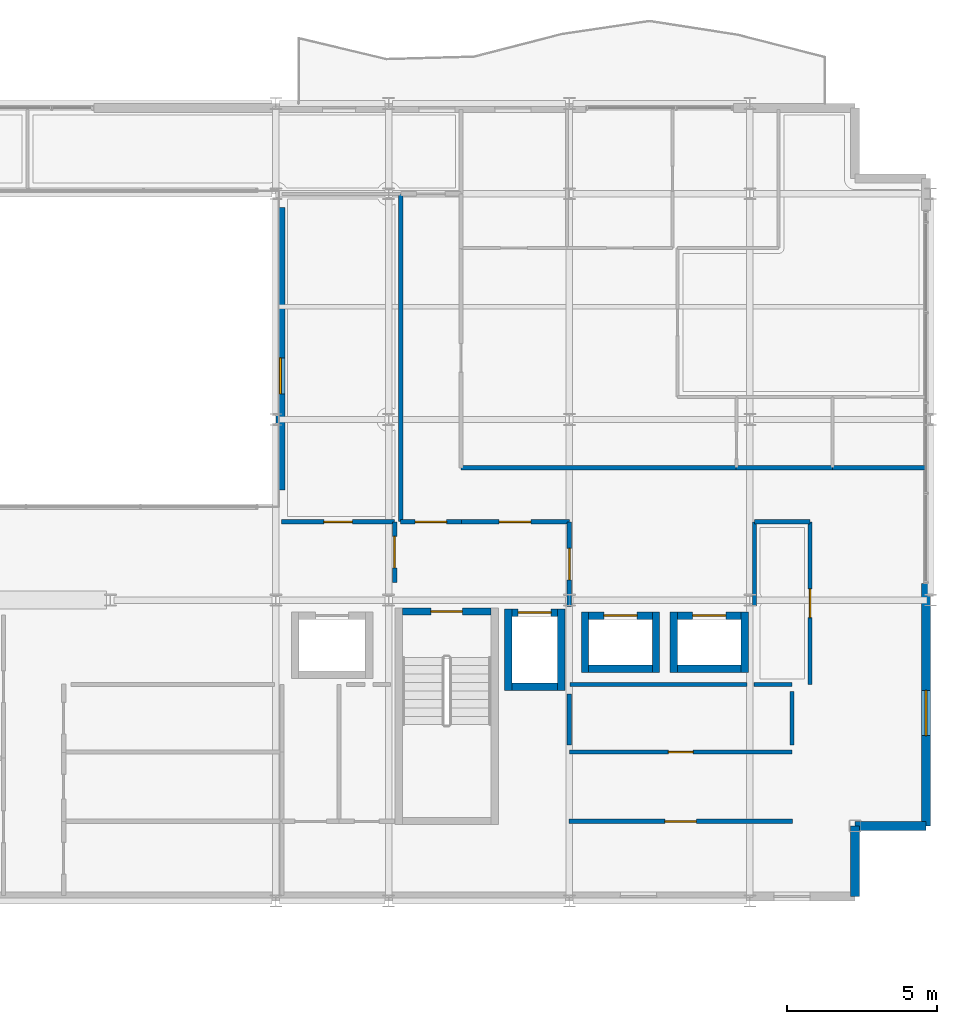
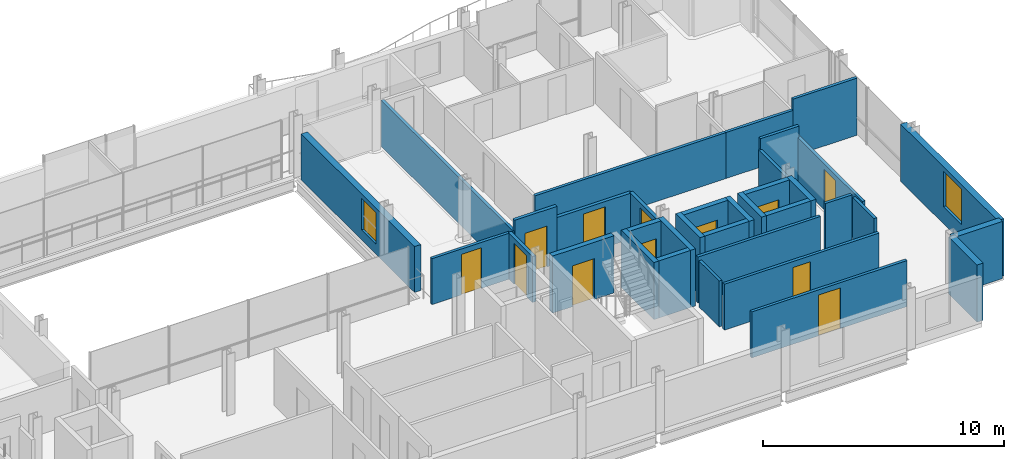
# One storey, part 31 of 35: 35 walls, 12 doors, 2 windows, 14 openings.
"""IFC4 building model written with IfcOpenShell, lengths in metres."""

from ifc_helpers import new_model, si_unit, direction, frame, frame_2d, origin, place, context, subcontext, project, spatial, rectangle, extrude, material, layer, layer_set, type_object, element, fill, save


model = new_model("IFC4")

# Units and contexts
model_context = context("Model", 3, precision=1e-05, world=origin(), true_north=direction((0.0, 1.0)))
body_context = subcontext(model_context, "Body", "Model", "MODEL_VIEW")
ifc_project = project(units=[si_unit("LENGTHUNIT", "METRE"), si_unit("AREAUNIT", "SQUARE_METRE"), si_unit("VOLUMEUNIT", "CUBIC_METRE"), si_unit("PLANEANGLEUNIT", "RADIAN"), si_unit("MASSUNIT", "GRAM", prefix="KILO")], contexts=[model_context])

# Site, building, storey
site_placement = place(None, origin())
site = spatial("IfcSite", under=ifc_project, at=site_placement, CompositionType="ELEMENT")
building_placement = place(site_placement, origin())
building = spatial("IfcBuilding", under=site, at=building_placement, Name="Brevholm Reach", CompositionType="ELEMENT")
storey_placement = place(building_placement, frame((0.0, 0.0, 183.199951171875)))
storey = spatial("IfcBuildingStorey", under=building, at=storey_placement, Name="L55", CompositionType="ELEMENT", Elevation=183.199951171875)

# Wall, opening, door
ifc_material_1 = material(Name="Concrete C45/55", Category="concrete")
ifc_layer_1 = layer(ifc_material_1, 0.239990234375)
ifc_layer_set_1 = layer_set([ifc_layer_1], Name="Concrete C45/55")
wall_type_1 = type_object("IfcWallType", Name="WAL-COR-240", PredefinedType="SHEAR", material=ifc_layer_set_1)
wall_1_placement = place(storey_placement, frame((45.39990234375, 9.6201171875, 0.0), z_axis=(0.0, 0.0, 1.0), x_axis=(-1.0, 0.0, 0.0)))
wall_1 = element("IfcWall", 1, at=wall_1_placement, inside=storey, type_object=wall_type_1, Name="L55 Escape Stair ST-2 Core Wall N", PredefinedType="SHEAR", context=body_context, shape_type="SweptSolid", body=[
    extrude(rectangle(XDim=2.949951171875, YDim=0.239990234375, at=frame_2d((1.47509765625, 0.0))), origin(), (0.0, 0.0, 1.0), 2.89013671875),
])
opening_1_placement = place(wall_1_placement, frame((0.949951171875, 0.0, 0.0)))
opening_1 = element("IfcOpeningElement", 2, at=opening_1_placement, cuts=wall_1, Name="Opening SD-ST-2", PredefinedType="OPENING", context=body_context, shape_type="SweptSolid", body=[
    extrude(rectangle(XDim=1.050048828125, YDim=2.06005859375, at=frame_2d((0.52490234375, 1.030029296875))), frame((0.0, 0.1298828125, 0.0), z_axis=(0.0, -1.0, 0.0), x_axis=(1.0, 0.0, 0.0)), (0.0, 0.0, 1.0), 0.260009765625),
])
ifc_material_2 = material(Name="Hardwood-Lipped Steel-Core Fire and Smoke Door", Category="steel")
door_type_1 = type_object("IfcDoorType", Name="DOR-INT-FD60S", OperationType="NOTDEFINED", PredefinedType="DOOR", material=ifc_material_2)
door_1_placement = place(opening_1_placement, origin())
door_1 = element("IfcDoor", 3, at=door_1_placement, inside=storey, type_object=door_type_1, Name="L55 Protected Stair ST-2 Lobby Door", OperationType="SINGLE_SWING_RIGHT", OverallHeight=2.06005859375, OverallWidth=1.050048828125, PredefinedType="DOOR", context=body_context, shape_type="SweptSolid", body=[
    extrude(rectangle(XDim=1.050048828125, YDim=2.06005859375, at=frame_2d((0.52490234375, 1.030029296875))), frame((0.0, 0.02490234375, 0.0), z_axis=(0.0, -1.0, 0.0), x_axis=(1.0, 0.0, 0.0)), (0.0, 0.0, 1.0), 0.050048828125),
])
fill(opening_1, door_1)

# Walls
for number, where, z_axis, x_axis, name in (
    (4, (45.969970703125, 7.0, 0.0), (0.0, 0.0, 1.0), (0.0, 1.0, 0.0), "L55 Lift FFL-2 Shaft Wall W"),
    (5, (47.72998046875, 7.0, 0.0), (0.0, 0.0, 1.0), (0.0, 1.0, 0.0), "L55 Lift FFL-2 Shaft Wall E"),
):
    element("IfcWall", number, at=place(storey_placement, frame(where, z_axis=z_axis, x_axis=x_axis)), inside=storey, type_object=wall_type_1, Name=name, PredefinedType="SHEAR", context=body_context, shape_type="SweptSolid", body=[
        extrude(rectangle(XDim=2.699951171875, YDim=0.239990234375, at=frame_2d((1.35009765625, 0.0))), origin(), (0.0, 0.0, 1.0), 2.89013671875),
    ])
wall_2_placement = place(storey_placement, frame((46.090087890625, 7.1201171875, 0.0), z_axis=(0.0, 0.0, 1.0), x_axis=(1.0, 0.0, 0.0)))
element("IfcWall", 6, at=wall_2_placement, inside=storey, type_object=wall_type_1, Name="L55 Lift FFL-2 Shaft Wall S", PredefinedType="SHEAR", context=body_context, shape_type="SweptSolid", body=[
    extrude(rectangle(XDim=1.52001953125, YDim=0.239990234375, at=frame_2d((0.760009765625, 0.0))), origin(), (0.0, 0.0, 1.0), 2.89013671875),
])

# Wall, opening, door
wall_3_placement = place(storey_placement, frame((46.090087890625, 9.580078125, 0.0), z_axis=(0.0, 0.0, 1.0), x_axis=(1.0, 0.0, 0.0)))
wall_3 = element("IfcWall", 7, at=wall_3_placement, inside=storey, type_object=wall_type_1, Name="L55 Lift FFL-2 Shaft Wall N", PredefinedType="SHEAR", context=body_context, shape_type="SweptSolid", body=[
    extrude(rectangle(XDim=1.52001953125, YDim=0.239990234375, at=frame_2d((0.760009765625, 0.0))), origin(), (0.0, 0.0, 1.0), 2.89013671875),
])
opening_2_placement = place(wall_3_placement, frame((0.2099609375, 0.0, 0.0)))
opening_2 = element("IfcOpeningElement", 8, at=opening_2_placement, cuts=wall_3, Name="Opening LD-FFL-2", PredefinedType="OPENING", context=body_context, shape_type="SweptSolid", body=[
    extrude(rectangle(XDim=1.10009765625, YDim=2.06005859375, at=frame_2d((0.550048828125, 1.030029296875))), frame((0.0, 0.1298828125, 0.0), z_axis=(0.0, -1.0, 0.0), x_axis=(1.0, 0.0, 0.0)), (0.0, 0.0, 1.0), 0.260009765625),
])
ifc_material_3 = material(Name="Brushed Stainless Steel Fire-Rated Sliding Lift Door", Category="steel")
door_type_2 = type_object("IfcDoorType", Name="DOR-LFT-1100", OperationType="NOTDEFINED", PredefinedType="DOOR", material=ifc_material_3)
door_2_placement = place(opening_2_placement, origin())
door_2 = element("IfcDoor", 9, at=door_2_placement, inside=storey, type_object=door_type_2, Name="L55 Lift FFL-2 Sliding Landing Door", OperationType="SLIDING_TO_RIGHT", OverallHeight=2.06005859375, OverallWidth=1.10009765625, PredefinedType="DOOR", context=body_context, shape_type="SweptSolid", body=[
    extrude(rectangle(XDim=1.10009765625, YDim=2.06005859375, at=frame_2d((0.550048828125, 1.030029296875))), frame((0.0, 0.02490234375, 0.0), z_axis=(0.0, -1.0, 0.0), x_axis=(1.0, 0.0, 0.0)), (0.0, 0.0, 1.0), 0.050048828125),
])
fill(opening_2, door_2)

# Walls
for number, where, z_axis, x_axis, name in (
    (10, (48.52001953125, 7.60009765625, 0.0), (0.0, 0.0, 1.0), (0.0, 1.0, 0.0), "L55 Lift PL-H1 Shaft Wall W"),
    (11, (50.8798828125, 7.60009765625, 0.0), (0.0, 0.0, 1.0), (0.0, 1.0, 0.0), "L55 Lift PL-H1 Shaft Wall E"),
):
    element("IfcWall", number, at=place(storey_placement, frame(where, z_axis=z_axis, x_axis=x_axis)), inside=storey, type_object=wall_type_1, Name=name, PredefinedType="SHEAR", context=body_context, shape_type="SweptSolid", body=[
        extrude(rectangle(XDim=2.0, YDim=0.239990234375, at=frame_2d((1.0, 0.0))), origin(), (0.0, 0.0, 1.0), 2.89013671875),
    ])
wall_4_placement = place(storey_placement, frame((48.639892578125, 7.719970703125, 0.0), z_axis=(0.0, 0.0, 1.0), x_axis=(1.0, 0.0, 0.0)))
element("IfcWall", 12, at=wall_4_placement, inside=storey, type_object=wall_type_1, Name="L55 Lift PL-H1 Shaft Wall S", PredefinedType="SHEAR", context=body_context, shape_type="SweptSolid", body=[
    extrude(rectangle(XDim=2.1201171875, YDim=0.239990234375, at=frame_2d((1.06005859375, 0.0))), origin(), (0.0, 0.0, 1.0), 2.89013671875),
])

# Wall, opening, door
wall_5_placement = place(storey_placement, frame((48.639892578125, 9.47998046875, 0.0), z_axis=(0.0, 0.0, 1.0), x_axis=(1.0, 0.0, 0.0)))
wall_5 = element("IfcWall", 13, at=wall_5_placement, inside=storey, type_object=wall_type_1, Name="L55 Lift PL-H1 Shaft Wall N", PredefinedType="SHEAR", context=body_context, shape_type="SweptSolid", body=[
    extrude(rectangle(XDim=2.1201171875, YDim=0.239990234375, at=frame_2d((1.06005859375, 0.0))), origin(), (0.0, 0.0, 1.0), 2.89013671875),
])
opening_3_placement = place(wall_5_placement, frame((0.510009765625, 0.0, 0.0)))
opening_3 = element("IfcOpeningElement", 14, at=opening_3_placement, cuts=wall_5, Name="Opening LD-PL-H1", PredefinedType="OPENING", context=body_context, shape_type="SweptSolid", body=[
    extrude(rectangle(XDim=1.10009765625, YDim=2.06005859375, at=frame_2d((0.550048828125, 1.030029296875))), frame((0.0, 0.1298828125, 0.0), z_axis=(0.0, -1.0, 0.0), x_axis=(1.0, 0.0, 0.0)), (0.0, 0.0, 1.0), 0.260009765625),
])
door_3_placement = place(opening_3_placement, origin())
door_3 = element("IfcDoor", 15, at=door_3_placement, inside=storey, type_object=door_type_2, Name="L55 Lift PL-H1 Sliding Landing Door", OperationType="SLIDING_TO_RIGHT", OverallHeight=2.06005859375, OverallWidth=1.10009765625, PredefinedType="DOOR", context=body_context, shape_type="SweptSolid", body=[
    extrude(rectangle(XDim=1.10009765625, YDim=2.06005859375, at=frame_2d((0.550048828125, 1.030029296875))), frame((0.0, 0.02490234375, 0.0), z_axis=(0.0, -1.0, 0.0), x_axis=(1.0, 0.0, 0.0)), (0.0, 0.0, 1.0), 0.050048828125),
])
fill(opening_3, door_3)

# Walls
for number, where, z_axis, x_axis, name in (
    (16, (51.469970703125, 7.60009765625, 0.0), (0.0, 0.0, 1.0), (0.0, 1.0, 0.0), "L55 Lift PL-H2 Shaft Wall W"),
    (17, (53.830078125, 7.60009765625, 0.0), (0.0, 0.0, 1.0), (0.0, 1.0, 0.0), "L55 Lift PL-H2 Shaft Wall E"),
):
    element("IfcWall", number, at=place(storey_placement, frame(where, z_axis=z_axis, x_axis=x_axis)), inside=storey, type_object=wall_type_1, Name=name, PredefinedType="SHEAR", context=body_context, shape_type="SweptSolid", body=[
        extrude(rectangle(XDim=2.0, YDim=0.239990234375, at=frame_2d((1.0, 0.0))), origin(), (0.0, 0.0, 1.0), 2.89013671875),
    ])
wall_6_placement = place(storey_placement, frame((51.590087890625, 7.719970703125, 0.0), z_axis=(0.0, 0.0, 1.0), x_axis=(1.0, 0.0, 0.0)))
element("IfcWall", 18, at=wall_6_placement, inside=storey, type_object=wall_type_1, Name="L55 Lift PL-H2 Shaft Wall S", PredefinedType="SHEAR", context=body_context, shape_type="SweptSolid", body=[
    extrude(rectangle(XDim=2.119873046875, YDim=0.239990234375, at=frame_2d((1.06005859375, 0.0))), origin(), (0.0, 0.0, 1.0), 2.89013671875),
])

# Wall, opening, door
wall_7_placement = place(storey_placement, frame((51.590087890625, 9.47998046875, 0.0), z_axis=(0.0, 0.0, 1.0), x_axis=(1.0, 0.0, 0.0)))
wall_7 = element("IfcWall", 19, at=wall_7_placement, inside=storey, type_object=wall_type_1, Name="L55 Lift PL-H2 Shaft Wall N", PredefinedType="SHEAR", context=body_context, shape_type="SweptSolid", body=[
    extrude(rectangle(XDim=2.119873046875, YDim=0.239990234375, at=frame_2d((1.06005859375, 0.0))), origin(), (0.0, 0.0, 1.0), 2.89013671875),
])
opening_4_placement = place(wall_7_placement, frame((0.510009765625, 0.0, 0.0)))
opening_4 = element("IfcOpeningElement", 20, at=opening_4_placement, cuts=wall_7, Name="Opening LD-PL-H2", PredefinedType="OPENING", context=body_context, shape_type="SweptSolid", body=[
    extrude(rectangle(XDim=1.10009765625, YDim=2.06005859375, at=frame_2d((0.550048828125, 1.030029296875))), frame((0.0, 0.1298828125, 0.0), z_axis=(0.0, -1.0, 0.0), x_axis=(1.0, 0.0, 0.0)), (0.0, 0.0, 1.0), 0.260009765625),
])
door_4_placement = place(opening_4_placement, origin())
door_4 = element("IfcDoor", 21, at=door_4_placement, inside=storey, type_object=door_type_2, Name="L55 Lift PL-H2 Sliding Landing Door", OperationType="SLIDING_TO_LEFT", OverallHeight=2.06005859375, OverallWidth=1.10009765625, PredefinedType="DOOR", context=body_context, shape_type="SweptSolid", body=[
    extrude(rectangle(XDim=1.10009765625, YDim=2.06005859375, at=frame_2d((0.550048828125, 1.030029296875))), frame((0.0, 0.02490234375, 0.0), z_axis=(0.0, -1.0, 0.0), x_axis=(1.0, 0.0, 0.0)), (0.0, 0.0, 1.0), 0.050048828125),
])
fill(opening_4, door_4)

# Walls
ifc_material_4 = material(Name="Concrete C40/50", Category="concrete")
ifc_layer_2 = layer(ifc_material_4, 0.300048828125)
ifc_layer_set_2 = layer_set([ifc_layer_2], Name="Concrete C40/50")
wall_type_2 = type_object("IfcWallType", Name="WAL-EXT-300", PredefinedType="STANDARD", material=ifc_layer_set_2)
for number, where, z_axis, x_axis, name in (
    (22, (57.5, 0.14990234375, 0.0), (0.0, 0.0, 1.0), (0.0, 1.0, 0.0), "L55 Facade Wall WAL-L55-CSE1"),
    (23, (57.5, 2.5, 0.0), (0.0, 0.0, 1.0), (1.0, 0.0, 0.0), "L55 Facade Wall WAL-L55-CSE2"),
):
    element("IfcWall", number, at=place(storey_placement, frame(where, z_axis=z_axis, x_axis=x_axis)), inside=storey, type_object=wall_type_2, Name=name, PredefinedType="STANDARD", context=body_context, shape_type="SweptSolid", body=[
        extrude(rectangle(XDim=2.35009765625, YDim=0.300048828125, at=frame_2d((1.175048828125, 0.0))), origin(), (0.0, 0.0, 1.0), 2.89013671875),
    ])

# Wall, opening, window
wall_8_placement = place(storey_placement, frame((59.85009765625, 2.5, 0.0), z_axis=(0.0, 0.0, 1.0), x_axis=(0.0, 1.0, 0.0)))
wall_8 = element("IfcWall", 24, at=wall_8_placement, inside=storey, type_object=wall_type_2, Name="L55 Facade Wall WAL-L55-E-S", PredefinedType="STANDARD", context=body_context, shape_type="SweptSolid", body=[
    extrude(rectangle(XDim=8.050048828125, YDim=0.300048828125, at=frame_2d((4.02490234375, 0.0))), origin(), (0.0, 0.0, 1.0), 2.89013671875),
])
opening_5_placement = place(wall_8_placement, frame((3.0, 0.0, 0.8701171875)))
opening_5 = element("IfcOpeningElement", 25, at=opening_5_placement, cuts=wall_8, Name="Opening WN-05", PredefinedType="OPENING", context=body_context, shape_type="SweptSolid", body=[
    extrude(rectangle(XDim=1.5, YDim=1.800048828125, at=frame_2d((0.75, 0.89990234375))), frame((0.0, 0.159912109375, 0.0), z_axis=(0.0, -1.0, 0.0), x_axis=(1.0, 0.0, 0.0)), (0.0, 0.0, 1.0), 0.320068359375),
])
ifc_material_5 = material(Name="Dark Anodised Aluminium and Solar-Control IGU Glass", Category="aluminium")
window_type_1 = type_object("IfcWindowType", Name="WIN-RES-1500", PartitioningType="SINGLE_PANEL", PredefinedType="WINDOW", material=ifc_material_5)
window_1_placement = place(opening_5_placement, origin())
window_1 = element("IfcWindow", 26, at=window_1_placement, inside=storey, type_object=window_type_1, Name="L55 Window WIN-L55-ES-1", OverallHeight=1.800048828125, OverallWidth=1.5, PartitioningType="SINGLE_PANEL", PredefinedType="WINDOW", context=body_context, shape_type="SweptSolid", body=[
    extrude(rectangle(XDim=1.5, YDim=1.800048828125, at=frame_2d((0.75, 0.89990234375))), frame((0.0, 0.030029296875, 0.0), z_axis=(0.0, -1.0, 0.0), x_axis=(1.0, 0.0, 0.0)), (0.0, 0.0, 1.0), 0.06005859375),
])
fill(opening_5, window_1)

wall_9_placement = place(storey_placement, frame((38.39990234375, 13.64990234375, 0.0), z_axis=(0.0, 0.0, 1.0), x_axis=(0.0, 1.0, 0.0)))
wall_9 = element("IfcWall", 27, at=wall_9_placement, inside=storey, type_object=wall_type_2, Name="L55 Facade Wall WAL-L55-AT-E", PredefinedType="STANDARD", context=body_context, shape_type="SweptSolid", body=[
    extrude(rectangle(XDim=9.400146484375, YDim=0.300048828125, at=frame_2d((4.7001953125, 0.0))), origin(), (0.0, 0.0, 1.0), 2.325439453125),
])
opening_6_placement = place(wall_9_placement, frame((3.199951171875, 0.0, 0.5)))
opening_6 = element("IfcOpeningElement", 28, at=opening_6_placement, cuts=wall_9, Name="Opening WN-08", PredefinedType="OPENING", context=body_context, shape_type="SweptSolid", body=[
    extrude(rectangle(XDim=1.199951171875, YDim=1.60009765625, at=frame_2d((0.60009765625, 0.800048828125))), frame((0.0, 0.159912109375, 0.0), z_axis=(0.0, -1.0, 0.0), x_axis=(1.0, 0.0, 0.0)), (0.0, 0.0, 1.0), 0.320068359375),
])
ifc_material_6 = material(Name="Dark Anodised Aluminium and Solar-Control IGU Glass", Category="aluminium")
window_type_2 = type_object("IfcWindowType", Name="WIN-RES-1200", PartitioningType="SINGLE_PANEL", PredefinedType="WINDOW", material=ifc_material_6)
window_2_placement = place(opening_6_placement, origin())
window_2 = element("IfcWindow", 29, at=window_2_placement, inside=storey, type_object=window_type_2, Name="L55 Window WIN-L55-AT-E1", OverallHeight=1.60009765625, OverallWidth=1.199951171875, PartitioningType="SINGLE_PANEL", PredefinedType="WINDOW", context=body_context, shape_type="SweptSolid", body=[
    extrude(rectangle(XDim=1.199951171875, YDim=1.60009765625, at=frame_2d((0.60009765625, 0.800048828125))), frame((0.0, 0.030029296875, 0.0), z_axis=(0.0, -1.0, 0.0), x_axis=(1.0, 0.0, 0.0)), (0.0, 0.0, 1.0), 0.06005859375),
])
fill(opening_6, window_2)

# Wall, opening, door
ifc_material_7 = material(Name="Twin-Stud Acoustic Fire-Rated Gypsum Partition 140 mm", Category="gypsum")
ifc_layer_3 = layer(ifc_material_7, 0.139892578125)
ifc_layer_set_3 = layer_set([ifc_layer_3], Name="Twin-Stud Acoustic Fire-Rated Gypsum Partition 140 mm")
wall_type_3 = type_object("IfcWallType", Name="WAL-PRT-140", PredefinedType="PARTITIONING", material=ifc_layer_set_3)
wall_10_placement = place(storey_placement, frame((56.0, 7.188720703125, 0.0), z_axis=(0.0, 0.0, 1.0), x_axis=(0.0, 1.0, 0.0)))
wall_10 = element("IfcWall", 30, at=wall_10_placement, inside=storey, type_object=wall_type_3, Name="L55 Internal Partition 014", PredefinedType="PARTITIONING", context=body_context, shape_type="SweptSolid", body=[
    extrude(rectangle(XDim=5.411376953125, YDim=0.139892578125, at=frame_2d((2.70556640625, 0.0))), origin(), (0.0, 0.0, 1.0), 2.325439453125),
])
opening_7_placement = place(wall_10_placement, frame((2.230712890625, 0.0, 0.0)))
opening_7 = element("IfcOpeningElement", 31, at=opening_7_placement, cuts=wall_10, Name="Opening ID-30", PredefinedType="OPENING", context=body_context, shape_type="SweptSolid", body=[
    extrude(rectangle(XDim=0.949951171875, YDim=2.050048828125, at=frame_2d((0.47509765625, 1.02490234375))), frame((0.0, 0.079833984375, 0.0), z_axis=(0.0, -1.0, 0.0), x_axis=(1.0, 0.0, 0.0)), (0.0, 0.0, 1.0), 0.159912109375),
])
ifc_material_8 = material(Name="European Oak Veneered Solid-Core Fire Entrance Door", Category="timber")
door_type_3 = type_object("IfcDoorType", Name="DOR-FLT-FD30S", OperationType="NOTDEFINED", PredefinedType="DOOR", material=ifc_material_8)
door_5_placement = place(opening_7_placement, origin())
door_5 = element("IfcDoor", 32, at=door_5_placement, inside=storey, type_object=door_type_3, Name="L55 Internal Door 007", OperationType="SINGLE_SWING_RIGHT", OverallHeight=2.050048828125, OverallWidth=0.949951171875, PredefinedType="DOOR", context=body_context, shape_type="SweptSolid", body=[
    extrude(rectangle(XDim=0.949951171875, YDim=2.050048828125, at=frame_2d((0.47509765625, 1.02490234375))), frame((0.0, 0.02490234375, 0.0), z_axis=(0.0, -1.0, 0.0), x_axis=(1.0, 0.0, 0.0)), (0.0, 0.0, 1.0), 0.050048828125),
])
fill(opening_7, door_5)

wall_11_placement = place(storey_placement, frame((47.98876953125, 2.64990234375, 0.0), z_axis=(0.0, 0.0, 1.0), x_axis=(1.0, 0.0, 0.0)))
wall_11 = element("IfcWall", 33, at=wall_11_placement, inside=storey, type_object=wall_type_3, Name="L55 Internal Partition 017", PredefinedType="PARTITIONING", context=body_context, shape_type="SweptSolid", body=[
    extrude(rectangle(XDim=7.422607421875, YDim=0.139892578125, at=frame_2d((3.71142578125, 0.0))), origin(), (0.0, 0.0, 1.0), 2.325439453125),
])
opening_8_placement = place(wall_11_placement, frame((3.186279296875, 0.0, 0.0)))
opening_8 = element("IfcOpeningElement", 34, at=opening_8_placement, cuts=wall_11, Name="Opening FD-01", PredefinedType="OPENING", context=body_context, shape_type="SweptSolid", body=[
    extrude(rectangle(XDim=1.050048828125, YDim=2.06005859375, at=frame_2d((0.52490234375, 1.030029296875))), frame((0.0, 0.079833984375, 0.0), z_axis=(0.0, -1.0, 0.0), x_axis=(1.0, 0.0, 0.0)), (0.0, 0.0, 1.0), 0.159912109375),
])
door_6_placement = place(opening_8_placement, origin())
door_6 = element("IfcDoor", 35, at=door_6_placement, inside=storey, type_object=door_type_1, Name="L55 Internal Door 010", OperationType="SINGLE_SWING_LEFT", OverallHeight=2.06005859375, OverallWidth=1.050048828125, PredefinedType="DOOR", context=body_context, shape_type="SweptSolid", body=[
    extrude(rectangle(XDim=1.050048828125, YDim=2.06005859375, at=frame_2d((0.52490234375, 1.030029296875))), frame((0.0, 0.02490234375, 0.0), z_axis=(0.0, -1.0, 0.0), x_axis=(1.0, 0.0, 0.0)), (0.0, 0.0, 1.0), 0.050048828125),
])
fill(opening_8, door_6)

wall_12_placement = place(storey_placement, frame((48.0, 4.949951171875, 0.0), z_axis=(0.0, 0.0, 1.0), x_axis=(1.0, 0.0, 0.0)))
wall_12 = element("IfcWall", 36, at=wall_12_placement, inside=storey, type_object=wall_type_3, Name="L55 Internal Partition 023", PredefinedType="PARTITIONING", context=body_context, shape_type="SweptSolid", body=[
    extrude(rectangle(XDim=7.39990234375, YDim=0.139892578125, at=frame_2d((3.699951171875, 0.0))), origin(), (0.0, 0.0, 1.0), 2.325439453125),
])
opening_9_placement = place(wall_12_placement, frame((3.2900390625, 0.0, 0.0)))
opening_9 = element("IfcOpeningElement", 37, at=opening_9_placement, cuts=wall_12, Name="Opening ID-02", PredefinedType="OPENING", context=body_context, shape_type="SweptSolid", body=[
    extrude(rectangle(XDim=0.820068359375, YDim=2.02001953125, at=frame_2d((0.41015625, 1.010009765625))), frame((0.0, 0.079833984375, 0.0), z_axis=(0.0, -1.0, 0.0), x_axis=(1.0, 0.0, 0.0)), (0.0, 0.0, 1.0), 0.159912109375),
])
ifc_material_9 = material(Name="Moisture-Resistant Painted Timber Fire-Rated Riser and Service Door", Category="wood")
door_type_4 = type_object("IfcDoorType", Name="DOR-SRV-820", OperationType="NOTDEFINED", PredefinedType="DOOR", material=ifc_material_9)
door_7_placement = place(opening_9_placement, origin())
door_7 = element("IfcDoor", 38, at=door_7_placement, inside=storey, type_object=door_type_4, Name="L55 Access Door 043", OperationType="SINGLE_SWING_RIGHT", OverallHeight=2.02001953125, OverallWidth=0.820068359375, PredefinedType="DOOR", context=body_context, shape_type="SweptSolid", body=[
    extrude(rectangle(XDim=0.820068359375, YDim=2.02001953125, at=frame_2d((0.41015625, 1.010009765625))), frame((0.0, 0.02490234375, 0.0), z_axis=(0.0, -1.0, 0.0), x_axis=(1.0, 0.0, 0.0)), (0.0, 0.0, 1.0), 0.050048828125),
])
fill(opening_9, door_7)

# Walls
wall_13_placement = place(storey_placement, frame((54.138671875, 7.199951171875, 0.0), z_axis=(0.0, 0.0, 1.0), x_axis=(1.0, 0.0, 0.0)))
element("IfcWall", 39, at=wall_13_placement, inside=storey, type_object=wall_type_3, Name="L55 Internal Partition 024", PredefinedType="PARTITIONING", context=body_context, shape_type="SweptSolid", body=[
    extrude(rectangle(XDim=1.26123046875, YDim=0.139892578125, at=frame_2d((0.630615234375, 0.0))), origin(), (0.0, 0.0, 1.0), 2.89013671875),
])
wall_14_placement = place(storey_placement, frame((54.14990234375, 9.800048828125, 0.0), z_axis=(0.0, 0.0, 1.0), x_axis=(0.0, 1.0, 0.0)))
element("IfcWall", 40, at=wall_14_placement, inside=storey, type_object=wall_type_3, Name="L55 Internal Partition 036", PredefinedType="PARTITIONING", context=body_context, shape_type="SweptSolid", body=[
    extrude(rectangle(XDim=2.800048828125, YDim=0.139892578125, at=frame_2d((1.39990234375, 0.0))), origin(), (0.0, 0.0, 1.0), 2.325439453125),
])
wall_15_placement = place(storey_placement, frame((54.154052734375, 12.60009765625, 0.0), z_axis=(0.0, 0.0, 1.0), x_axis=(1.0, 0.0, 0.0)))
element("IfcWall", 41, at=wall_15_placement, inside=storey, type_object=wall_type_3, Name="L55 Internal Partition 037", PredefinedType="PARTITIONING", context=body_context, shape_type="SweptSolid", body=[
    extrude(rectangle(XDim=1.842041015625, YDim=0.139892578125, at=frame_2d((0.9208984375, 0.0))), origin(), (0.0, 0.0, 1.0), 2.89013671875),
])

# Wall, opening, door
wall_16_placement = place(storey_placement, frame((38.438720703125, 12.60009765625, 0.0), z_axis=(0.0, 0.0, 1.0), x_axis=(1.0, 0.0, 0.0)))
wall_16 = element("IfcWall", 42, at=wall_16_placement, inside=storey, type_object=wall_type_3, Name="L55 Internal Partition 038", PredefinedType="PARTITIONING", context=body_context, shape_type="SweptSolid", body=[
    extrude(rectangle(XDim=3.75732421875, YDim=0.139892578125, at=frame_2d((1.878662109375, 0.0))), origin(), (0.0, 0.0, 1.0), 2.325439453125),
])
opening_10_placement = place(wall_16_placement, frame((1.40380859375, 0.0, 0.0)))
opening_10 = element("IfcOpeningElement", 43, at=opening_10_placement, cuts=wall_16, Name="Opening ID-30", PredefinedType="OPENING", context=body_context, shape_type="SweptSolid", body=[
    extrude(rectangle(XDim=0.949951171875, YDim=2.050048828125, at=frame_2d((0.47509765625, 1.02490234375))), frame((0.0, 0.079833984375, 0.0), z_axis=(0.0, -1.0, 0.0), x_axis=(1.0, 0.0, 0.0)), (0.0, 0.0, 1.0), 0.159912109375),
])
door_8_placement = place(opening_10_placement, origin())
door_8 = element("IfcDoor", 44, at=door_8_placement, inside=storey, type_object=door_type_3, Name="L55 Internal Door 020", OperationType="SINGLE_SWING_LEFT", OverallHeight=2.050048828125, OverallWidth=0.949951171875, PredefinedType="DOOR", context=body_context, shape_type="SweptSolid", body=[
    extrude(rectangle(XDim=0.949951171875, YDim=2.050048828125, at=frame_2d((0.47509765625, 1.02490234375))), frame((0.0, 0.02490234375, 0.0), z_axis=(0.0, -1.0, 0.0), x_axis=(1.0, 0.0, 0.0)), (0.0, 0.0, 1.0), 0.050048828125),
])
fill(opening_10, door_8)

# Walls
wall_17_placement = place(storey_placement, frame((42.39990234375, 12.60400390625, 0.0), z_axis=(0.0, 0.0, 1.0), x_axis=(0.0, 1.0, 0.0)))
element("IfcWall", 45, at=wall_17_placement, inside=storey, type_object=wall_type_3, Name="L55 Internal Partition 047", PredefinedType="PARTITIONING", context=body_context, shape_type="SweptSolid", body=[
    extrude(rectangle(XDim=10.89599609375, YDim=0.139892578125, at=frame_2d((5.447998046875, 0.0))), origin(), (0.0, 0.0, 1.0), 2.325439453125),
])
wall_18_placement = place(storey_placement, frame((56.73876953125, 14.39990234375, 0.0), z_axis=(0.0, 0.0, 1.0), x_axis=(1.0, 0.0, 0.0)))
element("IfcWall", 46, at=wall_18_placement, inside=storey, type_object=wall_type_3, Name="L55 Internal Partition 049", PredefinedType="PARTITIONING", context=body_context, shape_type="SweptSolid", body=[
    extrude(rectangle(XDim=3.072509765625, YDim=0.139892578125, at=frame_2d((1.5361328125, 0.0))), origin(), (0.0, 0.0, 1.0), 2.89013671875),
])
wall_19_placement = place(storey_placement, frame((53.538818359375, 14.39990234375, 0.0), z_axis=(0.0, 0.0, 1.0), x_axis=(1.0, 0.0, 0.0)))
element("IfcWall", 47, at=wall_19_placement, inside=storey, type_object=wall_type_3, Name="L55 Internal Partition 050", PredefinedType="PARTITIONING", context=body_context, shape_type="SweptSolid", body=[
    extrude(rectangle(XDim=3.218505859375, YDim=0.139892578125, at=frame_2d((1.609375, 0.0))), origin(), (0.0, 0.0, 1.0), 2.325439453125),
])
wall_20_placement = place(storey_placement, frame((44.404052734375, 14.39990234375, 0.0), z_axis=(0.0, 0.0, 1.0), x_axis=(1.0, 0.0, 0.0)))
element("IfcWall", 48, at=wall_20_placement, inside=storey, type_object=wall_type_3, Name="L55 Internal Partition 051", PredefinedType="PARTITIONING", context=body_context, shape_type="SweptSolid", body=[
    extrude(rectangle(XDim=9.1533203125, YDim=0.139892578125, at=frame_2d((4.57666015625, 0.0))), origin(), (0.0, 0.0, 1.0), 2.325439453125),
])
wall_21_placement = place(storey_placement, frame((55.39990234375, 5.18994140625, 0.0), z_axis=(0.0, 0.0, 1.0), x_axis=(0.0, 1.0, 0.0)))
element("IfcWall", 49, at=wall_21_placement, inside=storey, type_object=wall_type_3, Name="L55 Internal Partition 105", PredefinedType="PARTITIONING", context=body_context, shape_type="SweptSolid", body=[
    extrude(rectangle(XDim=1.77001953125, YDim=0.139892578125, at=frame_2d((0.885009765625, 0.0))), origin(), (0.0, 0.0, 1.0), 2.89013671875),
])
wall_22_placement = place(storey_placement, frame((48.030029296875, 7.199951171875, 0.0), z_axis=(0.0, 0.0, 1.0), x_axis=(1.0, 0.0, 0.0)))
element("IfcWall", 50, at=wall_22_placement, inside=storey, type_object=wall_type_3, Name="L55 Internal Partition 106", PredefinedType="PARTITIONING", context=body_context, shape_type="SweptSolid", body=[
    extrude(rectangle(XDim=5.86865234375, YDim=0.139892578125, at=frame_2d((2.934326171875, 0.0))), origin(), (0.0, 0.0, 1.0), 2.325439453125),
])
wall_23_placement = place(storey_placement, frame((48.0, 5.18994140625, 0.0), z_axis=(0.0, 0.0, 1.0), x_axis=(0.0, 1.0, 0.0)))
element("IfcWall", 51, at=wall_23_placement, inside=storey, type_object=wall_type_3, Name="L55 Internal Partition 107", PredefinedType="PARTITIONING", context=body_context, shape_type="SweptSolid", body=[
    extrude(rectangle(XDim=1.68359375, YDim=0.139892578125, at=frame_2d((0.841796875, 0.0))), origin(), (0.0, 0.0, 1.0), 2.325439453125),
])

# Wall, opening, door
ifc_material_10 = material(Name="Twin-Frame Fire-Rated Gypsum Board and Mineral Wool 160 mm", Category="gypsum")
ifc_layer_4 = layer(ifc_material_10, 0.159912109375)
ifc_layer_set_4 = layer_set([ifc_layer_4], Name="Twin-Frame Fire-Rated Gypsum Board and Mineral Wool 160 mm")
wall_type_4 = type_object("IfcWallType", Name="WAL-PRT-160", PredefinedType="PARTITIONING", material=ifc_layer_set_4)
wall_24_placement = place(storey_placement, frame((48.0, 9.788818359375, 0.0), z_axis=(0.0, 0.0, 1.0), x_axis=(0.0, 1.0, 0.0)))
wall_24 = element("IfcWall", 52, at=wall_24_placement, inside=storey, type_object=wall_type_4, Name="L55 Internal Partition 032", PredefinedType="PARTITIONING", context=body_context, shape_type="SweptSolid", body=[
    extrude(rectangle(XDim=2.811279296875, YDim=0.159912109375, at=frame_2d((1.40576171875, 0.0))), origin(), (0.0, 0.0, 1.0), 2.325439453125),
])
opening_11_placement = place(wall_24_placement, frame((0.880615234375, 0.0, 0.0)))
opening_11 = element("IfcOpeningElement", 53, at=opening_11_placement, cuts=wall_24, Name="Opening FD-01", PredefinedType="OPENING", context=body_context, shape_type="SweptSolid", body=[
    extrude(rectangle(XDim=1.050048828125, YDim=2.06005859375, at=frame_2d((0.52490234375, 1.030029296875))), frame((0.0, 0.08984375, 0.0), z_axis=(0.0, -1.0, 0.0), x_axis=(1.0, 0.0, 0.0)), (0.0, 0.0, 1.0), 0.179931640625),
])
door_9_placement = place(opening_11_placement, origin())
door_9 = element("IfcDoor", 54, at=door_9_placement, inside=storey, type_object=door_type_1, Name="L55 Internal Door 016", OperationType="SINGLE_SWING_LEFT", OverallHeight=2.06005859375, OverallWidth=1.050048828125, PredefinedType="DOOR", context=body_context, shape_type="SweptSolid", body=[
    extrude(rectangle(XDim=1.050048828125, YDim=2.06005859375, at=frame_2d((0.52490234375, 1.030029296875))), frame((0.0, 0.02490234375, 0.0), z_axis=(0.0, -1.0, 0.0), x_axis=(1.0, 0.0, 0.0)), (0.0, 0.0, 1.0), 0.050048828125),
])
fill(opening_11, door_9)

wall_25_placement = place(storey_placement, frame((42.199951171875, 10.588623046875, 0.0), z_axis=(0.0, 0.0, 1.0), x_axis=(0.0, 1.0, 0.0)))
wall_25 = element("IfcWall", 55, at=wall_25_placement, inside=storey, type_object=wall_type_4, Name="L55 Internal Partition 033", PredefinedType="PARTITIONING", context=body_context, shape_type="SweptSolid", body=[
    extrude(rectangle(XDim=2.011474609375, YDim=0.159912109375, at=frame_2d((1.005859375, 0.0))), origin(), (0.0, 0.0, 1.0), 2.325439453125),
])
opening_12_placement = place(wall_25_placement, frame((0.480712890625, 0.0, 0.0)))
opening_12 = element("IfcOpeningElement", 56, at=opening_12_placement, cuts=wall_25, Name="Opening FD-01", PredefinedType="OPENING", context=body_context, shape_type="SweptSolid", body=[
    extrude(rectangle(XDim=1.050048828125, YDim=2.06005859375, at=frame_2d((0.52490234375, 1.030029296875))), frame((0.0, 0.08984375, 0.0), z_axis=(0.0, -1.0, 0.0), x_axis=(1.0, 0.0, 0.0)), (0.0, 0.0, 1.0), 0.179931640625),
])
door_10_placement = place(opening_12_placement, origin())
door_10 = element("IfcDoor", 57, at=door_10_placement, inside=storey, type_object=door_type_1, Name="L55 Internal Door 017", OperationType="SINGLE_SWING_RIGHT", OverallHeight=2.06005859375, OverallWidth=1.050048828125, PredefinedType="DOOR", context=body_context, shape_type="SweptSolid", body=[
    extrude(rectangle(XDim=1.050048828125, YDim=2.06005859375, at=frame_2d((0.52490234375, 1.030029296875))), frame((0.0, 0.02490234375, 0.0), z_axis=(0.0, -1.0, 0.0), x_axis=(1.0, 0.0, 0.0)), (0.0, 0.0, 1.0), 0.050048828125),
])
fill(opening_12, door_10)

wall_26_placement = place(storey_placement, frame((42.388671875, 12.60009765625, 0.0), z_axis=(0.0, 0.0, 1.0), x_axis=(1.0, 0.0, 0.0)))
wall_26 = element("IfcWall", 58, at=wall_26_placement, inside=storey, type_object=wall_type_4, Name="L55 Internal Partition 034", PredefinedType="PARTITIONING", context=body_context, shape_type="SweptSolid", body=[
    extrude(rectangle(XDim=2.022705078125, YDim=0.159912109375, at=frame_2d((1.01123046875, 0.0))), origin(), (0.0, 0.0, 1.0), 2.89013671875),
])
opening_13_placement = place(wall_26_placement, frame((0.486328125, 0.0, 0.0)))
opening_13 = element("IfcOpeningElement", 59, at=opening_13_placement, cuts=wall_26, Name="Opening FD-01", PredefinedType="OPENING", context=body_context, shape_type="SweptSolid", body=[
    extrude(rectangle(XDim=1.050048828125, YDim=2.06005859375, at=frame_2d((0.52490234375, 1.030029296875))), frame((0.0, 0.08984375, 0.0), z_axis=(0.0, -1.0, 0.0), x_axis=(1.0, 0.0, 0.0)), (0.0, 0.0, 1.0), 0.179931640625),
])
door_11_placement = place(opening_13_placement, origin())
door_11 = element("IfcDoor", 60, at=door_11_placement, inside=storey, type_object=door_type_1, Name="L55 Internal Door 018", OperationType="SINGLE_SWING_LEFT", OverallHeight=2.06005859375, OverallWidth=1.050048828125, PredefinedType="DOOR", context=body_context, shape_type="SweptSolid", body=[
    extrude(rectangle(XDim=1.050048828125, YDim=2.06005859375, at=frame_2d((0.52490234375, 1.030029296875))), frame((0.0, 0.02490234375, 0.0), z_axis=(0.0, -1.0, 0.0), x_axis=(1.0, 0.0, 0.0)), (0.0, 0.0, 1.0), 0.050048828125),
])
fill(opening_13, door_11)

wall_27_placement = place(storey_placement, frame((44.392578125, 12.60009765625, 0.0), z_axis=(0.0, 0.0, 1.0), x_axis=(1.0, 0.0, 0.0)))
wall_27 = element("IfcWall", 61, at=wall_27_placement, inside=storey, type_object=wall_type_4, Name="L55 Internal Partition 035", PredefinedType="PARTITIONING", context=body_context, shape_type="SweptSolid", body=[
    extrude(rectangle(XDim=3.607421875, YDim=0.159912109375, at=frame_2d((1.8037109375, 0.0))), origin(), (0.0, 0.0, 1.0), 2.325439453125),
])
opening_14_placement = place(wall_27_placement, frame((1.27880859375, 0.0, 0.0)))
opening_14 = element("IfcOpeningElement", 62, at=opening_14_placement, cuts=wall_27, Name="Opening FD-01", PredefinedType="OPENING", context=body_context, shape_type="SweptSolid", body=[
    extrude(rectangle(XDim=1.050048828125, YDim=2.06005859375, at=frame_2d((0.52490234375, 1.030029296875))), frame((0.0, 0.08984375, 0.0), z_axis=(0.0, -1.0, 0.0), x_axis=(1.0, 0.0, 0.0)), (0.0, 0.0, 1.0), 0.179931640625),
])
door_12_placement = place(opening_14_placement, origin())
door_12 = element("IfcDoor", 63, at=door_12_placement, inside=storey, type_object=door_type_1, Name="L55 Internal Door 019", OperationType="SINGLE_SWING_RIGHT", OverallHeight=2.06005859375, OverallWidth=1.050048828125, PredefinedType="DOOR", context=body_context, shape_type="SweptSolid", body=[
    extrude(rectangle(XDim=1.050048828125, YDim=2.06005859375, at=frame_2d((0.52490234375, 1.030029296875))), frame((0.0, 0.02490234375, 0.0), z_axis=(0.0, -1.0, 0.0), x_axis=(1.0, 0.0, 0.0)), (0.0, 0.0, 1.0), 0.050048828125),
])
fill(opening_14, door_12)

save(model, "model.ifc")
